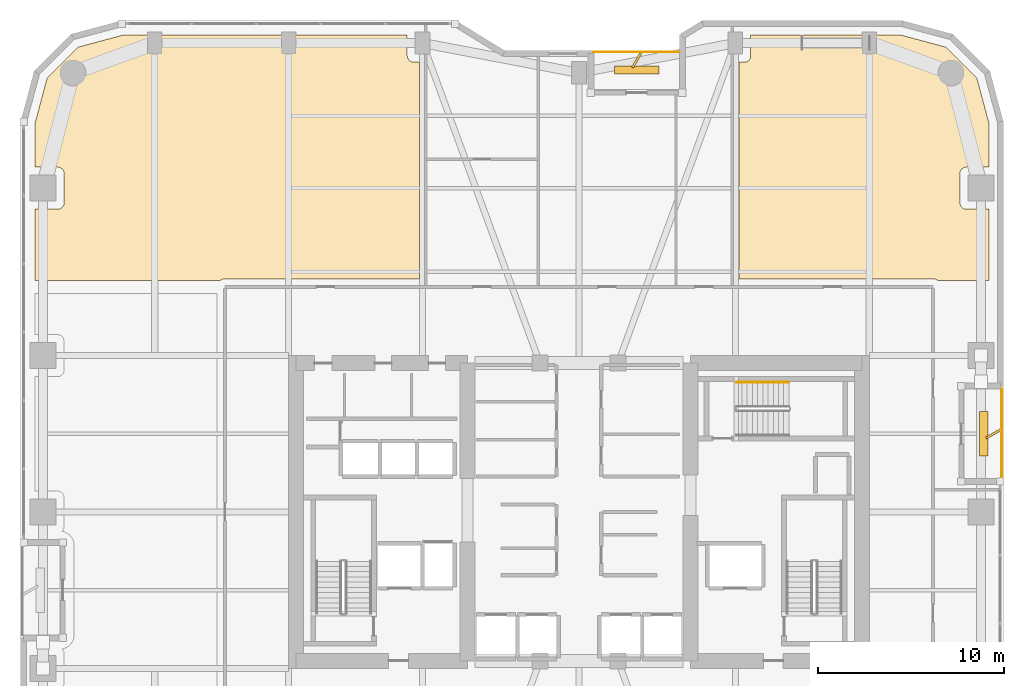
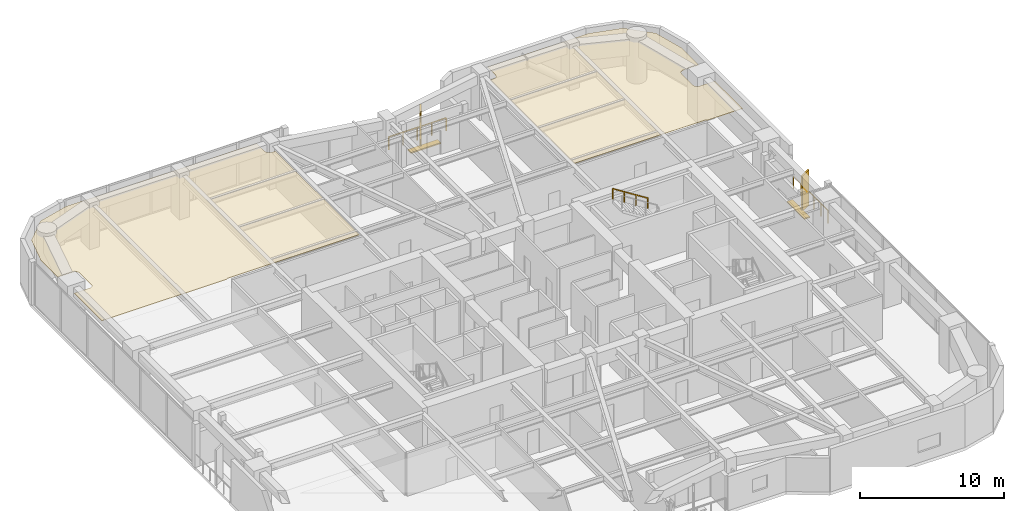
# One storey, part 24 of 24: 4 shading devices, 3 railings, 2 coverings.
"""IFC4 building model written with IfcOpenShell, lengths in metres."""

from ifc_helpers import new_model, si_unit, direction, frame, origin, origin_2d, place, context, subcontext, project, spatial, polyline, rectangle, outline, extrude, material, layer, layer_set, type_object, element, save


model = new_model("IFC4")

# Units and contexts
model_context = context("Model", 3, precision=1e-05, world=origin(), true_north=direction((0.0, 1.0)))
body_context = subcontext(model_context, "Body", "Model", "MODEL_VIEW")
ifc_project = project(units=[si_unit("LENGTHUNIT", "METRE"), si_unit("AREAUNIT", "SQUARE_METRE"), si_unit("VOLUMEUNIT", "CUBIC_METRE"), si_unit("PLANEANGLEUNIT", "RADIAN"), si_unit("MASSUNIT", "GRAM", prefix="KILO")], contexts=[model_context])

# Site, building, storey
site_placement = place(None, origin())
site = spatial("IfcSite", under=ifc_project, at=site_placement, CompositionType="ELEMENT")
building_placement = place(site_placement, origin())
building = spatial("IfcBuilding", under=site, at=building_placement, Name="Kiyonajd Concourse Tower", CompositionType="ELEMENT")
storey_placement = place(building_placement, frame((0.0, 0.0, 97.5)))
storey = spatial("IfcBuildingStorey", under=building, at=storey_placement, Name="L25", CompositionType="ELEMENT", Elevation=97.5)

# Coverings
ifc_material_1 = material(Name="Natural Oak Acoustic Timber Veneer", Category="wood")
ifc_layer = layer(ifc_material_1, 0.0400390625)
ifc_layer_set = layer_set([ifc_layer], Name="Natural Oak Acoustic Timber Veneer")
covering_type = type_object("IfcCoveringType", Name="CV-CLG-ACST", PredefinedType="CEILING", material=ifc_layer_set)
covering_1_placement = place(storey_placement, frame((0.0, 0.0, 3.4599609375)))
element("IfcCovering", 1, at=covering_1_placement, inside=storey, type_object=covering_type, Name="L25-49 Room Acoustic Ceiling", PredefinedType="CEILING", context=body_context, shape_type="SweptSolid", body=[
    extrude(outline(polyline([(21.097900390625, 60.986083984375), (23.5009765625, 61.6298828125), (38.77001953125, 61.6298828125), (38.77001953125, 60.52001953125), (38.777099609375, 60.451904296875), (38.797119140625, 60.385986328125), (38.84912109375, 60.298095703125), (38.89794921875, 60.2490234375), (38.955078125, 60.2109375), (39.01806640625, 60.18505859375), (39.1201171875, 60.169921875), (39.419921875, 60.169921875), (39.419921875, 48.530029296875), (28.97509765625, 48.530029296875), (28.844970703125, 48.510009765625), (28.781982421875, 48.48388671875), (28.72705078125, 48.449951171875), (18.77001953125, 48.449951171875), (18.77001953125, 52.27001953125), (19.97998046875, 52.27001953125), (20.048095703125, 52.277099609375), (20.14501953125, 52.31103515625), (20.201904296875, 52.34912109375), (20.2509765625, 52.39794921875), (20.2890625, 52.455078125), (20.31494140625, 52.51806640625), (20.330078125, 52.6201171875), (20.330078125, 54.179931640625), (20.31494140625, 54.281982421875), (20.2890625, 54.344970703125), (20.2509765625, 54.402099609375), (20.201904296875, 54.450927734375), (20.14501953125, 54.489013671875), (20.08203125, 54.514892578125), (20.013916015625, 54.528076171875), (18.77001953125, 54.530029296875), (18.77001953125, 56.89892578125), (19.4140625, 59.302001953125), (21.097900390625, 60.986083984375)])), origin(), (0.0, 0.0, 1.0), 0.0400390625),
])
covering_2_placement = place(storey_placement, frame((0.0, 0.0, 3.4599609375)))
element("IfcCovering", 2, at=covering_2_placement, inside=storey, type_object=covering_type, Name="L25-54 Room Acoustic Ceiling", PredefinedType="CEILING", context=body_context, shape_type="SweptSolid", body=[
    extrude(outline(polyline([(57.22998046875, 61.6298828125), (65.299072265625, 61.6298828125), (67.701904296875, 60.986083984375), (69.385986328125, 59.302001953125), (70.030029296875, 56.89892578125), (70.030029296875, 54.530029296875), (68.785888671875, 54.528076171875), (68.718017578125, 54.514892578125), (68.655029296875, 54.489013671875), (68.597900390625, 54.450927734375), (68.549072265625, 54.402099609375), (68.510986328125, 54.344970703125), (68.485107421875, 54.281982421875), (68.469970703125, 54.179931640625), (68.471923828125, 52.5859375), (68.4970703125, 52.486083984375), (68.549072265625, 52.39794921875), (68.597900390625, 52.34912109375), (68.655029296875, 52.31103515625), (68.751953125, 52.277099609375), (68.820068359375, 52.27001953125), (70.030029296875, 52.27001953125), (70.030029296875, 48.449951171875), (67.27294921875, 48.449951171875), (67.218017578125, 48.48388671875), (67.155029296875, 48.510009765625), (67.02490234375, 48.530029296875), (56.60009765625, 48.530029296875), (56.60009765625, 60.169921875), (56.9140625, 60.172119140625), (57.013916015625, 60.197021484375), (57.073974609375, 60.22900390625), (57.126953125, 60.27294921875), (57.1708984375, 60.325927734375), (57.202880859375, 60.385986328125), (57.222900390625, 60.451904296875), (57.22998046875, 60.52001953125), (57.22998046875, 61.6298828125)])), origin(), (0.0, 0.0, 1.0), 0.0400390625),
])

# Railings
ifc_material_2 = material(Name="Thermally Broken Anodised Aluminium", Category="aluminium")
railing_type_1 = type_object("IfcRailingType", Name="RL-GRD-LOG", PredefinedType="GUARDRAIL", material=ifc_material_2)
railing_1_placement = place(storey_placement, frame((53.39990234375, 60.719970703125, 0.0)))
element("IfcRailing", 3, at=railing_1_placement, inside=storey, type_object=railing_type_1, Name="L25 Engawa Loggia Perimeter Guard LOG-N", PredefinedType="GUARDRAIL", context=body_context, shape_type="SweptSolid", body=[
    extrude(rectangle(XDim=0.048095703125, YDim=0.048095703125, at=origin_2d()), frame((0.0, 0.0, 1.076171875), z_axis=(-1.0, 0.0, 0.0), x_axis=(0.0, -1.0, 0.0)), (0.0, 0.0, 1.0), 4.599853515625),
    extrude(rectangle(XDim=0.0419921875, YDim=0.0419921875, at=origin_2d()), origin(), (0.0, 0.0, 1.0), 1.052001953125),
    extrude(rectangle(XDim=0.0419921875, YDim=0.0419921875, at=origin_2d()), frame((-1.14990234375, 0.0, 0.0)), (0.0, 0.0, 1.0), 1.052001953125),
    extrude(rectangle(XDim=0.0419921875, YDim=0.0419921875, at=origin_2d()), frame((-2.2998046875, 0.0, 0.0)), (0.0, 0.0, 1.0), 1.052001953125),
    extrude(rectangle(XDim=0.0419921875, YDim=0.0419921875, at=origin_2d()), frame((-3.449951171875, 0.0, 0.0)), (0.0, 0.0, 1.0), 1.052001953125),
    extrude(rectangle(XDim=0.0419921875, YDim=0.0419921875, at=origin_2d()), frame((-4.599853515625, 0.0, 0.0)), (0.0, 0.0, 1.0), 1.052001953125),
])
railing_2_placement = place(storey_placement, frame((70.719970703125, 37.800048828125, 0.0)))
element("IfcRailing", 4, at=railing_2_placement, inside=storey, type_object=railing_type_1, Name="L25 Engawa Loggia Perimeter Guard LOG-E", PredefinedType="GUARDRAIL", context=body_context, shape_type="SweptSolid", body=[
    extrude(rectangle(XDim=0.048095703125, YDim=0.048095703125, at=origin_2d()), frame((0.0, 0.0, 1.076171875), z_axis=(0.0, 1.0, 0.0), x_axis=(-1.0, 0.0, 0.0)), (0.0, 0.0, 1.0), 4.800048828125),
    extrude(rectangle(XDim=0.0419921875, YDim=0.0419921875, at=origin_2d()), origin(), (0.0, 0.0, 1.0), 1.052001953125),
    extrude(rectangle(XDim=0.0419921875, YDim=0.0419921875, at=origin_2d()), frame((0.0, 0.9599609375, 0.0)), (0.0, 0.0, 1.0), 1.052001953125),
    extrude(rectangle(XDim=0.0419921875, YDim=0.0419921875, at=origin_2d()), frame((0.0, 1.919921875, 0.0)), (0.0, 0.0, 1.0), 1.052001953125),
    extrude(rectangle(XDim=0.0419921875, YDim=0.0419921875, at=origin_2d()), frame((0.0, 2.880126953125, 0.0)), (0.0, 0.0, 1.0), 1.052001953125),
    extrude(rectangle(XDim=0.0419921875, YDim=0.0419921875, at=origin_2d()), frame((0.0, 3.840087890625, 0.0)), (0.0, 0.0, 1.0), 1.052001953125),
    extrude(rectangle(XDim=0.0419921875, YDim=0.0419921875, at=origin_2d()), frame((0.0, 4.800048828125, 0.0)), (0.0, 0.0, 1.0), 1.052001953125),
])
ifc_material_3 = material(Name="Brushed Stainless Steel Cab Assembly", Category="steel")
railing_type_2 = type_object("IfcRailingType", Name="RL-HND-900", PredefinedType="HANDRAIL", material=ifc_material_3)
railing_3_placement = place(storey_placement, frame((59.280029296875, 42.969970703125, 2.127197265625)))
element("IfcRailing", 5, at=railing_3_placement, inside=storey, type_object=railing_type_2, Name="L25 ST3 stair handrail 2", PredefinedType="HANDRAIL", context=body_context, shape_type="SweptSolid", body=[
    extrude(rectangle(XDim=0.048095703125, YDim=0.048095703125, at=origin_2d()), frame((0.0, 0.0, 0.8759765625), z_axis=(-0.844908973607, 0.0, 0.534910110503), x_axis=(0.0, -1.0, 0.0)), (0.0, 0.0, 1.0), 3.31396484375),
    extrude(rectangle(XDim=0.0419921875, YDim=0.0419921875, at=origin_2d()), origin(), (0.0, 0.0, 1.0), 0.851806640625),
    extrude(rectangle(XDim=0.0419921875, YDim=0.0419921875, at=origin_2d()), frame((-0.933349609375, 0.0, 0.5908203125)), (0.0, 0.0, 1.0), 0.851806640625),
    extrude(rectangle(XDim=0.0419921875, YDim=0.0419921875, at=origin_2d()), frame((-1.86669921875, 0.0, 1.181884765625)), (0.0, 0.0, 1.0), 0.851806640625),
    extrude(rectangle(XDim=0.0419921875, YDim=0.0419921875, at=origin_2d()), frame((-2.800048828125, 0.0, 1.772705078125)), (0.0, 0.0, 1.0), 0.851806640625),
])

# Shading devices
ifc_material_4 = material(Name="Precast concrete C50/60", Category="concrete")
shading_device_type_1 = type_object("IfcShadingDeviceType", Name="SH-FIN-900", PredefinedType="USERDEFINED", material=ifc_material_4)
for number, where, z_axis, x_axis, name in (
    (6, (51.10009765625, 60.27001953125, 0.0), (0.0, 0.0, 1.0), (0.5, 0.866025403784, 0.0), "L25 Angled Koshi Solar Fin LOG-N"),
    (7, (70.27001953125, 40.199951171875, 0.0), (0.0, 0.0, 1.0), (0.866025403784, 0.5, 0.0), "L25 Angled Koshi Solar Fin LOG-E"),
):
    element("IfcShadingDevice", number, at=place(storey_placement, frame(where, z_axis=z_axis, x_axis=x_axis)), inside=storey, type_object=shading_device_type_1, Name=name, ObjectType="FIN", PredefinedType="USERDEFINED", context=body_context, shape_type="SweptSolid", body=[
        extrude(rectangle(XDim=0.89990234375, YDim=0.1201171875, at=origin_2d()), origin(), (0.0, 0.0, 1.0), 3.0),
    ])
shading_device_type_2 = type_object("IfcShadingDeviceType", Name="SH-LVR-600", PredefinedType="JALOUSIE", material=ifc_material_2)
for number, where, z_axis, x_axis, name in (
    (8, (51.10009765625, 59.75, 0.0), (0.0, 0.0, 1.0), (1.0, 0.0, 0.0), "L25 Loggia Threshold Louver LOG-N"),
    (9, (69.75, 40.199951171875, 0.0), (0.0, 0.0, 1.0), (0.0, 1.0, 0.0), "L25 Loggia Threshold Louver LOG-E"),
):
    element("IfcShadingDevice", number, at=place(storey_placement, frame(where, z_axis=z_axis, x_axis=x_axis)), inside=storey, type_object=shading_device_type_2, Name=name, PredefinedType="JALOUSIE", context=body_context, shape_type="SweptSolid", body=[
        extrude(rectangle(XDim=2.39990234375, YDim=0.449951171875, at=origin_2d()), origin(), (0.0, 0.0, 1.0), 0.10009765625),
    ])

save(model, "model.ifc")
